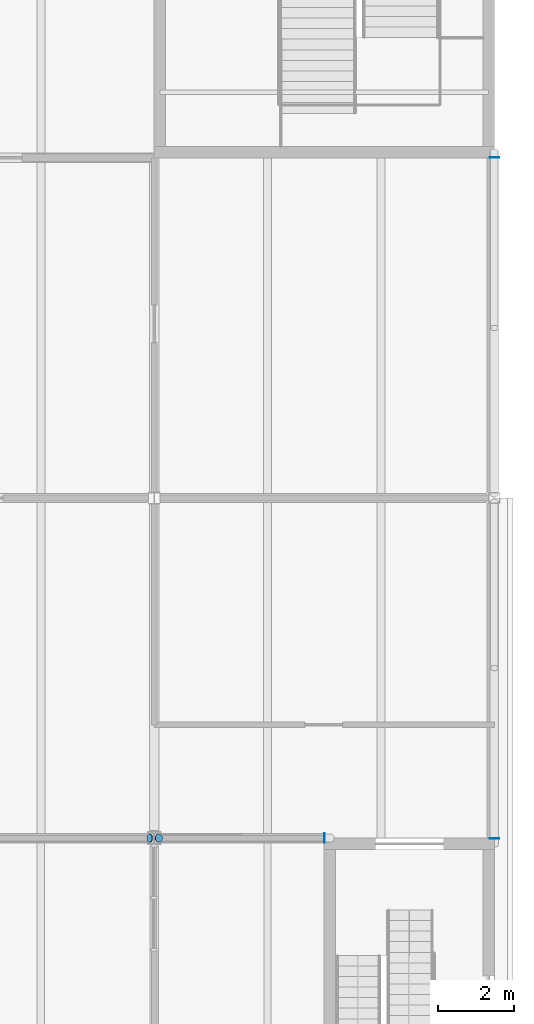
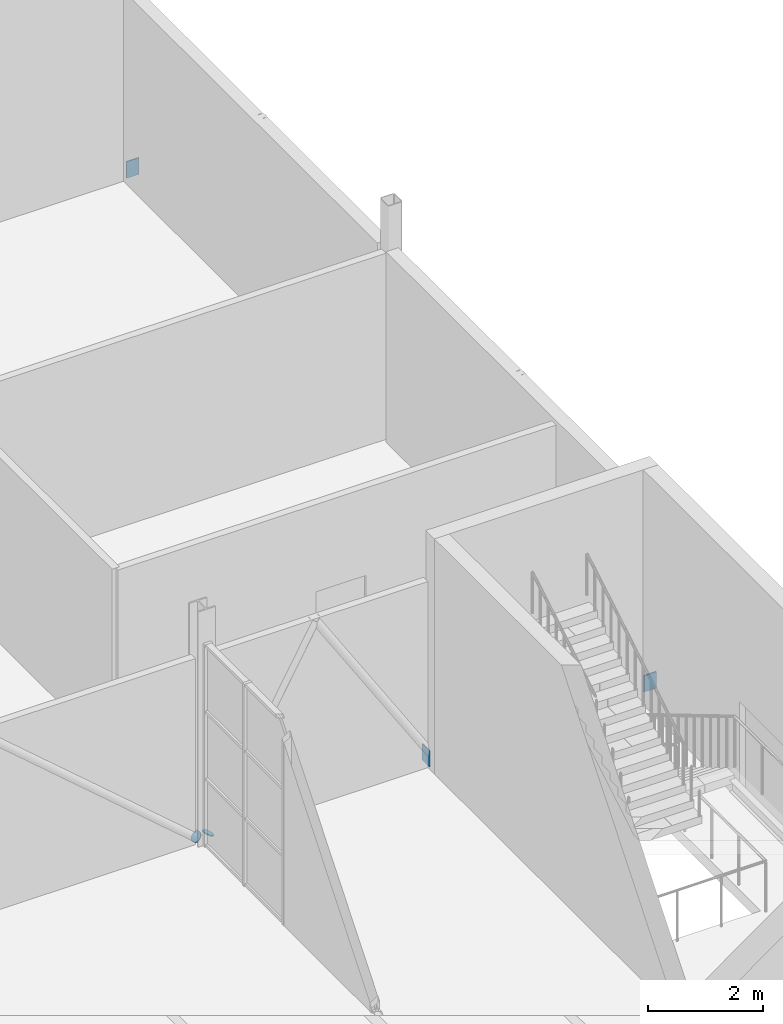
# One storey, part 52 of 63: 5 discrete accessories.
"""IFC4 building model written with IfcOpenShell, lengths in metres."""

from ifc_helpers import new_model, si_unit, direction, frame, origin, origin_2d, place, context, subcontext, project, spatial, rectangle, circle, extrude, element, save


model = new_model("IFC4")

# Units and contexts
model_context = context("Model", 3, precision=1e-05, world=origin(), true_north=direction((0.0, 1.0)))
body_context = subcontext(model_context, "Body", "Model", "MODEL_VIEW")
ifc_project = project(units=[si_unit("LENGTHUNIT", "METRE"), si_unit("AREAUNIT", "SQUARE_METRE"), si_unit("VOLUMEUNIT", "CUBIC_METRE"), si_unit("PLANEANGLEUNIT", "RADIAN"), si_unit("MASSUNIT", "GRAM", prefix="KILO")], contexts=[model_context])

# Site, building, storey
site_placement = place(None, origin())
site = spatial("IfcSite", under=ifc_project, at=site_placement, CompositionType="ELEMENT")
building_placement = place(site_placement, origin())
building = spatial("IfcBuilding", under=site, at=building_placement, Name="Halyard Row Museum", CompositionType="ELEMENT")
storey_placement = place(building_placement, origin())
storey = spatial("IfcBuildingStorey", under=building, at=storey_placement, Name="L00", CompositionType="ELEMENT", Elevation=0.0)

# Discrete accessories
for number, where, z_axis, x_axis, name in (
    (1, (108.0, 36.0, 0.215087890625), (0.0, -1.0, 0.0), (1.0, 0.0, 0.0), "Brace L00 X108 36-45 A cast-in plate"),
    (2, (108.0, 54.0, 0.215087890625), (0.0, 1.0, 0.0), (-1.0, 0.0, 0.0), "Brace L00 X108 45-54 B cast-in plate"),
):
    element("IfcDiscreteAccessory", number, at=place(storey_placement, frame(where, z_axis=z_axis, x_axis=x_axis)), inside=storey, Name=name, PredefinedType="ANCHORPLATE", context=body_context, shape_type="SweptSolid", body=[
        extrude(rectangle(XDim=0.25, YDim=0.35009765625, at=origin_2d()), origin(), (0.0, 0.0, 1.0), 0.02001953125),
    ])
for number, where, z_axis, x_axis, name in (
    (3, (98.875, 36.0, 0.109619140625), (0.754081595886, 0.0, -0.656780744804), (0.0, 1.0, 0.0), "Brace L00 Y36 90-99 B foot end plate"),
    (4, (99.125, 36.0, 0.109619140625), (-0.485642931179, 0.0, -0.874157276122), (0.0, -1.0, 0.0), "Brace L00 Y36 99-103.5 A foot end plate"),
):
    element("IfcDiscreteAccessory", number, at=place(storey_placement, frame(where, z_axis=z_axis, x_axis=x_axis)), inside=storey, Name=name, PredefinedType="BRACKET", context=body_context, shape_type="SweptSolid", body=[
        extrude(circle(Radius=0.109619140625, at=origin_2d()), origin(), (0.0, 0.0, 1.0), 0.02001953125),
    ])
discrete_accessory_placement = place(storey_placement, frame((103.5, 36.0, 0.215087890625), z_axis=(1.0, 0.0, 0.0), x_axis=(0.0, 1.0, 0.0)))
element("IfcDiscreteAccessory", 5, at=discrete_accessory_placement, inside=storey, Name="Brace L00 Y36 99-103.5 B cast-in plate", PredefinedType="ANCHORPLATE", context=body_context, shape_type="SweptSolid", body=[
    extrude(rectangle(XDim=0.25, YDim=0.35009765625, at=origin_2d()), origin(), (0.0, 0.0, 1.0), 0.02001953125),
])

save(model, "model.ifc")
